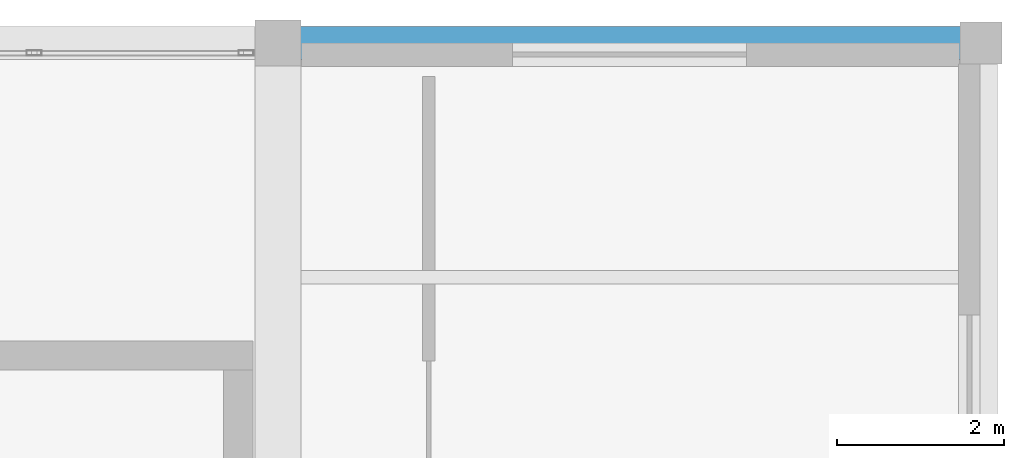
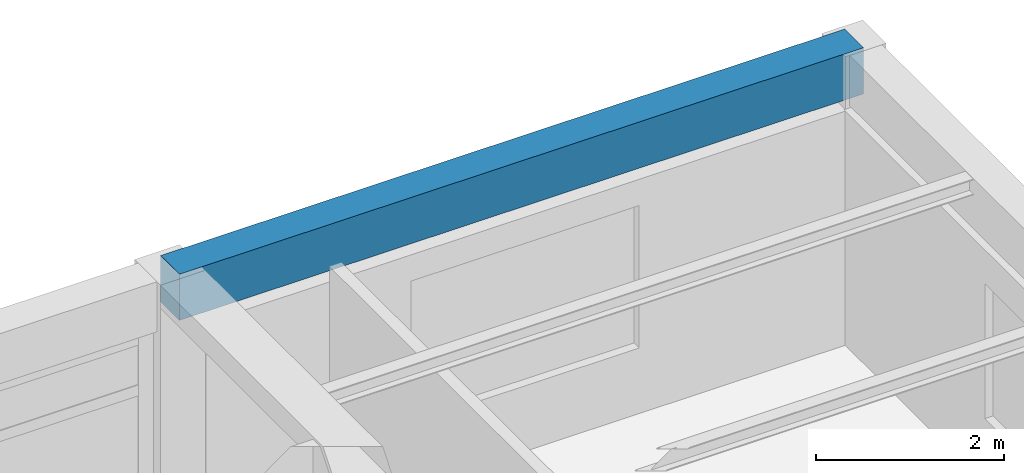
# One storey, part 14 of 20: 1 beam.
"""IFC4 building model written with IfcOpenShell, lengths in metres."""

from ifc_helpers import new_model, si_unit, direction, frame, origin, origin_2d, place, context, subcontext, project, spatial, rectangle, extrude, material, material_profile, profile_set, type_object, element, save


model = new_model("IFC4")

# Units and contexts
model_context = context("Model", 3, precision=1e-05, world=origin(), true_north=direction((0.0, 1.0)))
body_context = subcontext(model_context, "Body", "Model", "MODEL_VIEW")
ifc_project = project(units=[si_unit("LENGTHUNIT", "METRE"), si_unit("AREAUNIT", "SQUARE_METRE"), si_unit("VOLUMEUNIT", "CUBIC_METRE"), si_unit("PLANEANGLEUNIT", "RADIAN"), si_unit("MASSUNIT", "GRAM", prefix="KILO")], contexts=[model_context])

# Site, building, storey
site_placement = place(None, origin())
site = spatial("IfcSite", under=ifc_project, at=site_placement, CompositionType="ELEMENT")
building_placement = place(site_placement, origin())
building = spatial("IfcBuilding", under=site, at=building_placement, Name="Almacenes y Pasaje Nevantli", CompositionType="ELEMENT")
storey_placement = place(building_placement, frame((0.0, 0.0, 62.699951171875)))
storey = spatial("IfcBuildingStorey", under=building, at=storey_placement, Name="L15", CompositionType="ELEMENT", Elevation=62.699951171875)

# Beam
ifc_material = material(Name="Concrete C35/45", Category="concrete")
ifc_material_profile = material_profile(ifc_material, rectangle(XDim=0.39990234375, YDim=0.60009765625, at=origin_2d()), Name="RC-BM-400x600")
ifc_profile_set = profile_set([ifc_material_profile], Name="Concrete C35/45")
beam_type = type_object("IfcBeamType", Name="BM-RC-400x600", PredefinedType="SPANDREL", material=ifc_profile_set)
beam_placement = place(storey_placement, frame((142.800048828125, 92.39990234375, 3.420166015625), z_axis=(1.0, 0.0, 0.0), x_axis=(0.0, 1.0, 0.0)))
element("IfcBeam", 1, at=beam_placement, inside=storey, type_object=beam_type, Name="L15 East-West Reinforced Concrete Beam #4029", PredefinedType="SPANDREL", context=body_context, shape_type="SweptSolid", body=[
    extrude(rectangle(XDim=0.39990234375, YDim=0.60009765625, at=origin_2d()), origin(), (0.0, 0.0, 1.0), 8.39990234375),
])

save(model, "model.ifc")
